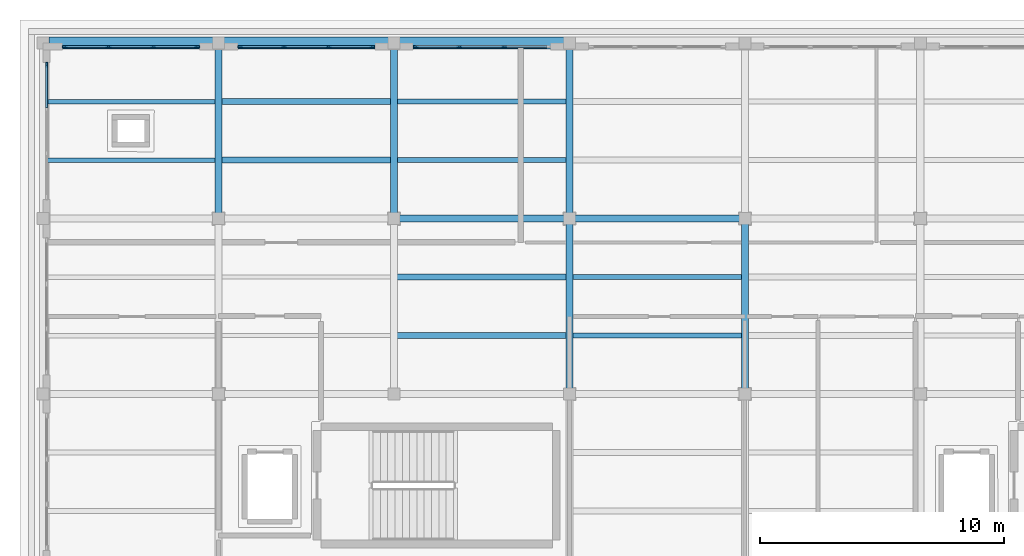
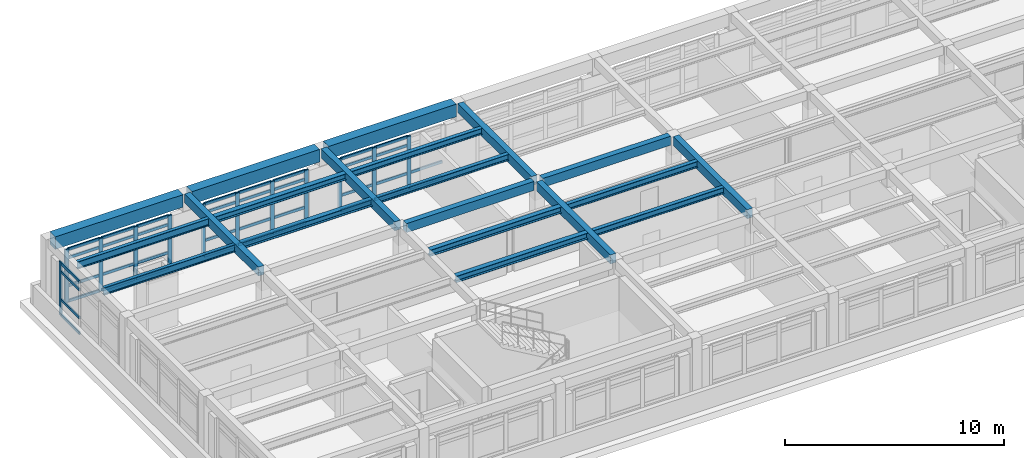
# One storey, part 4 of 18: 50 members, 20 beams, 4 elements without a shape of their own.
"""IFC4 building model written with IfcOpenShell, lengths in metres."""

from ifc_helpers import new_model, si_unit, direction, frame, origin, origin_2d, place, context, subcontext, project, spatial, rectangle, i_section, extrude, material, layer, layer_set, material_profile, profile_set, type_object, element, aggregate, save


model = new_model("IFC4")

# Units and contexts
model_context = context("Model", 3, precision=1e-05, world=origin(), true_north=direction((0.0, 1.0)))
body_context = subcontext(model_context, "Body", "Model", "MODEL_VIEW")
ifc_project = project(units=[si_unit("LENGTHUNIT", "METRE"), si_unit("AREAUNIT", "SQUARE_METRE"), si_unit("VOLUMEUNIT", "CUBIC_METRE"), si_unit("PLANEANGLEUNIT", "RADIAN"), si_unit("MASSUNIT", "GRAM", prefix="KILO")], contexts=[model_context])

# Site, building, storey
site_placement = place(None, origin())
site = spatial("IfcSite", under=ifc_project, at=site_placement, CompositionType="ELEMENT")
building_placement = place(site_placement, origin())
building = spatial("IfcBuilding", under=site, at=building_placement, Name="Solenvale Faculty of Natural Sciences", CompositionType="ELEMENT")
storey_placement = place(building_placement, frame((0.0, 0.0, 43.800048828125)))
storey = spatial("IfcBuildingStorey", under=building, at=storey_placement, Name="L10", CompositionType="ELEMENT", Elevation=43.800048828125)

# Beams
ifc_material_1 = material(Name="Concrete 40 MPa", Category="concrete")
ifc_material_profile_1 = material_profile(ifc_material_1, rectangle(XDim=0.300048828125, YDim=0.5, at=origin_2d()), Name="RC-BM-300x500")
ifc_profile_set_1 = profile_set([ifc_material_profile_1], Name="Concrete 40 MPa")
beam_type_1 = type_object("IfcBeamType", Name="BM-RC-300x500", PredefinedType="BEAM", material=ifc_profile_set_1)
for number, where, z_axis, x_axis, name in (
    (1, (108.22998046875, 108.0, 3.669921875), (1.0, 0.0, 0.0), (0.0, 1.0, 0.0), "L10 X-Girder Y108.0 (108.0..115.2)"),
    (2, (115.429931640625, 108.0, 3.669921875), (1.0, 0.0, 0.0), (0.0, 1.0, 0.0), "L10 X-Girder Y108.0 (115.2..122.4)"),
    (3, (100.800048828125, 108.22998046875, 3.669921875), (0.0, 1.0, 0.0), (-1.0, 0.0, 0.0), "L10 Y-Girder X100.8 (108.0..115.2)"),
    (4, (108.0, 108.22998046875, 3.669921875), (0.0, 1.0, 0.0), (-1.0, 0.0, 0.0), "L10 Y-Girder X108.0 (108.0..115.2)"),
    (5, (115.199951171875, 101.030029296875, 3.669921875), (0.0, 1.0, 0.0), (-1.0, 0.0, 0.0), "L10 Y-Girder X115.2 (100.8..108.0)"),
    (6, (115.199951171875, 108.22998046875, 3.669921875), (0.0, 1.0, 0.0), (-1.0, 0.0, 0.0), "L10 Y-Girder X115.2 (108.0..115.2)"),
    (7, (122.39990234375, 101.030029296875, 3.669921875), (0.0, 1.0, 0.0), (-1.0, 0.0, 0.0), "L10 Y-Girder X122.4 (100.8..108.0)"),
):
    element("IfcBeam", number, at=place(storey_placement, frame(where, z_axis=z_axis, x_axis=x_axis)), inside=storey, type_object=beam_type_1, Name=name, PredefinedType="BEAM", context=body_context, shape_type="SweptSolid", body=[
        extrude(rectangle(XDim=0.300048828125, YDim=0.5, at=origin_2d()), origin(), (0.0, 0.0, 1.0), 6.739990234375),
    ])
ifc_material_2 = material(Name="Precast concrete 40 MPa", Category="concrete")
ifc_material_profile_2 = material_profile(ifc_material_2, rectangle(XDim=0.5, YDim=0.699951171875, at=origin_2d()), Name="RC-BM-500x700")
ifc_profile_set_2 = profile_set([ifc_material_profile_2], Name="Precast concrete 40 MPa")
beam_type_2 = type_object("IfcBeamType", Name="BM-SPN-PRC-700", PredefinedType="SPANDREL", material=ifc_profile_set_2)
for number, where, z_axis, x_axis, name in (
    (8, (93.830078125, 115.199951171875, 3.570068359375), (1.0, 0.0, 0.0), (0.0, 1.0, 0.0), "L10 X-Girder Y115.2 (93.6..100.8)"),
    (9, (101.030029296875, 115.199951171875, 3.570068359375), (1.0, 0.0, 0.0), (0.0, 1.0, 0.0), "L10 X-Girder Y115.2 (100.8..108.0)"),
    (10, (108.22998046875, 115.199951171875, 3.570068359375), (1.0, 0.0, 0.0), (0.0, 1.0, 0.0), "L10 X-Girder Y115.2 (108.0..115.2)"),
):
    element("IfcBeam", number, at=place(storey_placement, frame(where, z_axis=z_axis, x_axis=x_axis)), inside=storey, type_object=beam_type_2, Name=name, PredefinedType="SPANDREL", context=body_context, shape_type="SweptSolid", body=[
        extrude(rectangle(XDim=0.5, YDim=0.699951171875, at=origin_2d()), origin(), (0.0, 0.0, 1.0), 6.739990234375),
    ])
ifc_material_3 = material(Name="Steel S355", Category="steel")
ifc_material_profile_3 = material_profile(ifc_material_3, i_section(OverallWidth=0.2548828125, OverallDepth=0.35693359375, WebThickness=0.010498046875, FlangeThickness=0.018310546875, FilletRadius=0.014892578125, at=origin_2d()), Name="W360x101")
ifc_profile_set_3 = profile_set([ifc_material_profile_3], Name="Steel S355")
beam_type_3 = type_object("IfcBeamType", Name="BM-STL-W360x101", PredefinedType="JOIST", material=ifc_profile_set_3)
for number, where, z_axis, x_axis, name in (
    (11, (100.929931640625, 110.39990234375, 3.741455078125), (1.0, 0.0, 0.0), (0.0, 1.0, 0.0), "L10 Composite Floor Joist (15,16).1"),
    (12, (100.929931640625, 112.800048828125, 3.741455078125), (1.0, 0.0, 0.0), (0.0, 1.0, 0.0), "L10 Composite Floor Joist (15,16).2"),
    (13, (108.1298828125, 103.199951171875, 3.741455078125), (1.0, 0.0, 0.0), (0.0, 1.0, 0.0), "L10 Composite Floor Joist (16,15).1"),
    (14, (108.1298828125, 105.60009765625, 3.741455078125), (1.0, 0.0, 0.0), (0.0, 1.0, 0.0), "L10 Composite Floor Joist (16,15).2"),
):
    element("IfcBeam", number, at=place(storey_placement, frame(where, z_axis=z_axis, x_axis=x_axis)), inside=storey, type_object=beam_type_3, Name=name, PredefinedType="JOIST", context=body_context, shape_type="SweptSolid", body=[
        extrude(i_section(OverallWidth=0.2548828125, OverallDepth=0.35693359375, WebThickness=0.010498046875, FlangeThickness=0.018310546875, FilletRadius=0.014892578125, at=origin_2d()), origin(), (0.0, 0.0, 1.0), 6.940185546875),
    ])
ifc_material_profile_4 = material_profile(ifc_material_3, i_section(OverallWidth=0.2041015625, OverallDepth=0.35009765625, WebThickness=0.008544921875, FlangeThickness=0.01513671875, FilletRadius=0.014892578125, at=origin_2d()), Name="W360x72")
ifc_profile_set_4 = profile_set([ifc_material_profile_4], Name="Steel S355")
beam_type_4 = type_object("IfcBeamType", Name="BM-STL-W360x72", PredefinedType="JOIST", material=ifc_profile_set_4)
for number, where, z_axis, x_axis, name in (
    (15, (108.1298828125, 110.39990234375, 3.744873046875), (1.0, 0.0, 0.0), (0.0, 1.0, 0.0), "L10 Composite Floor Joist (16,16).1"),
    (16, (108.1298828125, 112.800048828125, 3.744873046875), (1.0, 0.0, 0.0), (0.0, 1.0, 0.0), "L10 Composite Floor Joist (16,16).2"),
):
    element("IfcBeam", number, at=place(storey_placement, frame(where, z_axis=z_axis, x_axis=x_axis)), inside=storey, type_object=beam_type_4, Name=name, PredefinedType="JOIST", context=body_context, shape_type="SweptSolid", body=[
        extrude(i_section(OverallWidth=0.2041015625, OverallDepth=0.35009765625, WebThickness=0.008544921875, FlangeThickness=0.01513671875, FilletRadius=0.014892578125, at=origin_2d()), origin(), (0.0, 0.0, 1.0), 6.940185546875),
    ])
for number, where, z_axis, x_axis, name in (
    (17, (115.330078125, 103.199951171875, 3.744873046875), (1.0, 0.0, 0.0), (0.0, 1.0, 0.0), "L10 Composite Floor Joist (17,15).1"),
    (18, (115.330078125, 105.60009765625, 3.744873046875), (1.0, 0.0, 0.0), (0.0, 1.0, 0.0), "L10 Composite Floor Joist (17,15).2"),
):
    element("IfcBeam", number, at=place(storey_placement, frame(where, z_axis=z_axis, x_axis=x_axis)), inside=storey, type_object=beam_type_4, Name=name, PredefinedType="JOIST", context=body_context, shape_type="SweptSolid", body=[
        extrude(i_section(OverallWidth=0.2041015625, OverallDepth=0.35009765625, WebThickness=0.008544921875, FlangeThickness=0.01513671875, FilletRadius=0.014892578125, at=origin_2d()), origin(), (0.0, 0.0, 1.0), 6.93994140625),
    ])
ifc_material_profile_5 = material_profile(ifc_material_3, i_section(OverallWidth=0.178955078125, OverallDepth=0.409912109375, WebThickness=0.0087890625, FlangeThickness=0.014404296875, FilletRadius=0.01611328125, at=origin_2d()), Name="W410x67")
ifc_profile_set_5 = profile_set([ifc_material_profile_5], Name="Steel S355")
beam_type_5 = type_object("IfcBeamType", Name="BM-STL-W410x67", PredefinedType="JOIST", material=ifc_profile_set_5)
for number, where, z_axis, x_axis, name in (
    (19, (93.72998046875, 110.39990234375, 3.71484375), (1.0, 0.0, 0.0), (0.0, 1.0, 0.0), "L10 Composite Floor Joist (14,16).1"),
    (20, (93.72998046875, 112.800048828125, 3.71484375), (1.0, 0.0, 0.0), (0.0, 1.0, 0.0), "L10 Composite Floor Joist (14,16).2"),
):
    element("IfcBeam", number, at=place(storey_placement, frame(where, z_axis=z_axis, x_axis=x_axis)), inside=storey, type_object=beam_type_5, Name=name, PredefinedType="JOIST", context=body_context, shape_type="SweptSolid", body=[
        extrude(i_section(OverallWidth=0.178955078125, OverallDepth=0.409912109375, WebThickness=0.0087890625, FlangeThickness=0.014404296875, FilletRadius=0.01611328125, at=origin_2d()), origin(), (0.0, 0.0, 1.0), 6.93994140625),
    ])

# Curtain wall, members
ifc_material_4 = material(Name="Anodised bronze aluminium", Category="aluminium")
ifc_layer = layer(ifc_material_4, 0.179931640625)
ifc_layer_set = layer_set([ifc_layer], Name="Anodised bronze aluminium")
curtain_wall_type = type_object("IfcCurtainWallType", Name="CW-TWR-MOD", PredefinedType="USERDEFINED", material=ifc_layer_set)
curtain_wall_1_placement = place(storey_placement, origin())
curtain_wall_1 = element("IfcCurtainWall", 21, at=curtain_wall_1_placement, inside=storey, type_object=curtain_wall_type, Name="L10 Curtain Wall CW-L10-P1-E2-B6", ObjectType="UNITISED CURTAIN WALL", PredefinedType="USERDEFINED")
ifc_material_profile_6 = material_profile(ifc_material_4, rectangle(XDim=0.074951171875, YDim=0.2099609375, at=origin_2d()), Name="ALU-MUL-75x210")
ifc_profile_set_6 = profile_set([ifc_material_profile_6], Name="Anodised bronze aluminium")
member_type_1 = type_object("IfcMemberType", Name="CWM-ALU-75x210", PredefinedType="MULLION", material=ifc_profile_set_6)
member_1_placement = place(storey_placement, frame((112.5166015625, 115.0576171875, 0.0), z_axis=(0.0, 0.0, 1.0), x_axis=(0.0, -1.0, 0.0)))
member_1 = element("IfcMember", 22, at=member_1_placement, type_object=member_type_1, Name="CW-04 mullion 2", PredefinedType="MULLION", context=body_context, shape_type="SweptSolid", body=[
    extrude(rectangle(XDim=0.074951171875, YDim=0.2099609375, at=origin_2d()), origin(), (0.0, 0.0, 1.0), 2.9599609375),
])
member_2_placement = place(storey_placement, frame((110.683349609375, 115.0576171875, 0.0), z_axis=(0.0, 0.0, 1.0), x_axis=(0.0, -1.0, 0.0)))
member_2 = element("IfcMember", 23, at=member_2_placement, type_object=member_type_1, Name="CW-04 mullion 3", PredefinedType="MULLION", context=body_context, shape_type="SweptSolid", body=[
    extrude(rectangle(XDim=0.074951171875, YDim=0.2099609375, at=origin_2d()), origin(), (0.0, 0.0, 1.0), 2.9599609375),
])
member_3_placement = place(storey_placement, frame((108.887451171875, 115.0576171875, 0.0), z_axis=(0.0, 0.0, 1.0), x_axis=(0.0, -1.0, 0.0)))
member_3 = element("IfcMember", 24, at=member_3_placement, type_object=member_type_1, Name="CW-04 mullion 4", PredefinedType="MULLION", context=body_context, shape_type="SweptSolid", body=[
    extrude(rectangle(XDim=0.074951171875, YDim=0.2099609375, at=origin_2d()), origin(), (0.0, 0.0, 1.0), 2.9599609375),
])

curtain_wall_2_placement = place(storey_placement, origin())
curtain_wall_2 = element("IfcCurtainWall", 25, at=curtain_wall_2_placement, inside=storey, type_object=curtain_wall_type, Name="L10 Curtain Wall CW-L10-P1-E2-B7", ObjectType="UNITISED CURTAIN WALL", PredefinedType="USERDEFINED")
member_4_placement = place(storey_placement, frame((107.112548828125, 115.0576171875, 0.0), z_axis=(0.0, 0.0, 1.0), x_axis=(0.0, -1.0, 0.0)))
member_4 = element("IfcMember", 26, at=member_4_placement, type_object=member_type_1, Name="CW-04 mullion 1", PredefinedType="MULLION", context=body_context, shape_type="SweptSolid", body=[
    extrude(rectangle(XDim=0.074951171875, YDim=0.2099609375, at=origin_2d()), origin(), (0.0, 0.0, 1.0), 2.9599609375),
])
member_5_placement = place(storey_placement, frame((105.316650390625, 115.0576171875, 0.0), z_axis=(0.0, 0.0, 1.0), x_axis=(0.0, -1.0, 0.0)))
member_5 = element("IfcMember", 27, at=member_5_placement, type_object=member_type_1, Name="CW-04 mullion 2", PredefinedType="MULLION", context=body_context, shape_type="SweptSolid", body=[
    extrude(rectangle(XDim=0.074951171875, YDim=0.2099609375, at=origin_2d()), origin(), (0.0, 0.0, 1.0), 2.9599609375),
])
member_6_placement = place(storey_placement, frame((103.4833984375, 115.0576171875, 0.0), z_axis=(0.0, 0.0, 1.0), x_axis=(0.0, -1.0, 0.0)))
member_6 = element("IfcMember", 28, at=member_6_placement, type_object=member_type_1, Name="CW-04 mullion 3", PredefinedType="MULLION", context=body_context, shape_type="SweptSolid", body=[
    extrude(rectangle(XDim=0.074951171875, YDim=0.2099609375, at=origin_2d()), origin(), (0.0, 0.0, 1.0), 2.9599609375),
])
member_7_placement = place(storey_placement, frame((101.6875, 115.0576171875, 0.0), z_axis=(0.0, 0.0, 1.0), x_axis=(0.0, -1.0, 0.0)))
member_7 = element("IfcMember", 29, at=member_7_placement, type_object=member_type_1, Name="CW-04 mullion 4", PredefinedType="MULLION", context=body_context, shape_type="SweptSolid", body=[
    extrude(rectangle(XDim=0.074951171875, YDim=0.2099609375, at=origin_2d()), origin(), (0.0, 0.0, 1.0), 2.9599609375),
])

curtain_wall_3_placement = place(storey_placement, origin())
curtain_wall_3 = element("IfcCurtainWall", 30, at=curtain_wall_3_placement, inside=storey, type_object=curtain_wall_type, Name="L10 Curtain Wall CW-L10-P1-E2-B8", ObjectType="UNITISED CURTAIN WALL", PredefinedType="USERDEFINED")
member_8_placement = place(storey_placement, frame((99.91259765625, 115.0576171875, 0.0), z_axis=(0.0, 0.0, 1.0), x_axis=(0.0, -1.0, 0.0)))
member_8 = element("IfcMember", 31, at=member_8_placement, type_object=member_type_1, Name="CW-04 mullion 1", PredefinedType="MULLION", context=body_context, shape_type="SweptSolid", body=[
    extrude(rectangle(XDim=0.074951171875, YDim=0.2099609375, at=origin_2d()), origin(), (0.0, 0.0, 1.0), 2.9599609375),
])
member_9_placement = place(storey_placement, frame((98.11669921875, 115.0576171875, 0.0), z_axis=(0.0, 0.0, 1.0), x_axis=(0.0, -1.0, 0.0)))
member_9 = element("IfcMember", 32, at=member_9_placement, type_object=member_type_1, Name="CW-04 mullion 2", PredefinedType="MULLION", context=body_context, shape_type="SweptSolid", body=[
    extrude(rectangle(XDim=0.074951171875, YDim=0.2099609375, at=origin_2d()), origin(), (0.0, 0.0, 1.0), 2.9599609375),
])
member_10_placement = place(storey_placement, frame((96.283447265625, 115.0576171875, 0.0), z_axis=(0.0, 0.0, 1.0), x_axis=(0.0, -1.0, 0.0)))
member_10 = element("IfcMember", 33, at=member_10_placement, type_object=member_type_1, Name="CW-04 mullion 3", PredefinedType="MULLION", context=body_context, shape_type="SweptSolid", body=[
    extrude(rectangle(XDim=0.074951171875, YDim=0.2099609375, at=origin_2d()), origin(), (0.0, 0.0, 1.0), 2.9599609375),
])
member_11_placement = place(storey_placement, frame((94.487548828125, 115.0576171875, 0.0), z_axis=(0.0, 0.0, 1.0), x_axis=(0.0, -1.0, 0.0)))
member_11 = element("IfcMember", 34, at=member_11_placement, type_object=member_type_1, Name="CW-04 mullion 4", PredefinedType="MULLION", context=body_context, shape_type="SweptSolid", body=[
    extrude(rectangle(XDim=0.074951171875, YDim=0.2099609375, at=origin_2d()), origin(), (0.0, 0.0, 1.0), 2.9599609375),
])

# Curtain wall, member
curtain_wall_4_placement = place(storey_placement, origin())
curtain_wall_4 = element("IfcCurtainWall", 35, at=curtain_wall_4_placement, inside=storey, type_object=curtain_wall_type, Name="L10 Curtain Wall CW-L10-P1-E3-B1", ObjectType="UNITISED CURTAIN WALL", PredefinedType="USERDEFINED")
member_12_placement = place(storey_placement, frame((93.742431640625, 114.3125, 0.0), z_axis=(0.0, 0.0, 1.0), x_axis=(1.0, 0.0, 0.0)))
member_12 = element("IfcMember", 36, at=member_12_placement, type_object=member_type_1, Name="CW-04 mullion 1", PredefinedType="MULLION", context=body_context, shape_type="SweptSolid", body=[
    extrude(rectangle(XDim=0.074951171875, YDim=0.2099609375, at=origin_2d()), origin(), (0.0, 0.0, 1.0), 2.9599609375),
])

# Member
ifc_material_profile_7 = material_profile(ifc_material_4, rectangle(XDim=0.074951171875, YDim=0.155029296875, at=origin_2d()), Name="ALU-TRN-75x155")
ifc_profile_set_7 = profile_set([ifc_material_profile_7], Name="Anodised bronze aluminium")
member_type_2 = type_object("IfcMemberType", Name="CWT-ALU-75x155", PredefinedType="USERDEFINED", material=ifc_profile_set_7)
member_13_placement = place(storey_placement, frame((114.27490234375, 115.0576171875, 0.037353515625), z_axis=(-1.0, 0.0, 0.0), x_axis=(0.0, -1.0, 0.0)))
member_13 = element("IfcMember", 37, at=member_13_placement, type_object=member_type_2, Name="CW-04 transom 1.1", ObjectType="TRANSOM", PredefinedType="USERDEFINED", context=body_context, shape_type="SweptSolid", body=[
    extrude(rectangle(XDim=0.074951171875, YDim=0.155029296875, at=origin_2d()), origin(), (0.0, 0.0, 1.0), 1.720703125),
])

member_14_placement = place(storey_placement, frame((114.27490234375, 115.0576171875, 0.89990234375), z_axis=(-1.0, 0.0, 0.0), x_axis=(0.0, -1.0, 0.0)))
member_14 = element("IfcMember", 38, at=member_14_placement, type_object=member_type_2, Name="CW-04 transom 1.2", ObjectType="TRANSOM", PredefinedType="USERDEFINED", context=body_context, shape_type="SweptSolid", body=[
    extrude(rectangle(XDim=0.074951171875, YDim=0.155029296875, at=origin_2d()), origin(), (0.0, 0.0, 1.0), 1.720703125),
])

member_15_placement = place(storey_placement, frame((112.479248046875, 115.0576171875, 0.037353515625), z_axis=(-1.0, 0.0, 0.0), x_axis=(0.0, -1.0, 0.0)))
member_15 = element("IfcMember", 39, at=member_15_placement, type_object=member_type_2, Name="CW-04 transom 2.1", ObjectType="TRANSOM", PredefinedType="USERDEFINED", context=body_context, shape_type="SweptSolid", body=[
    extrude(rectangle(XDim=0.074951171875, YDim=0.155029296875, at=origin_2d()), origin(), (0.0, 0.0, 1.0), 1.75830078125),
])

member_16_placement = place(storey_placement, frame((112.479248046875, 115.0576171875, 0.89990234375), z_axis=(-1.0, 0.0, 0.0), x_axis=(0.0, -1.0, 0.0)))
member_16 = element("IfcMember", 40, at=member_16_placement, type_object=member_type_2, Name="CW-04 transom 2.2", ObjectType="TRANSOM", PredefinedType="USERDEFINED", context=body_context, shape_type="SweptSolid", body=[
    extrude(rectangle(XDim=0.074951171875, YDim=0.155029296875, at=origin_2d()), origin(), (0.0, 0.0, 1.0), 1.75830078125),
])

member_17_placement = place(storey_placement, frame((112.479248046875, 115.0576171875, 2.4599609375), z_axis=(-1.0, 0.0, 0.0), x_axis=(0.0, -1.0, 0.0)))
member_17 = element("IfcMember", 41, at=member_17_placement, type_object=member_type_2, Name="CW-04 transom 2.3", ObjectType="TRANSOM", PredefinedType="USERDEFINED", context=body_context, shape_type="SweptSolid", body=[
    extrude(rectangle(XDim=0.074951171875, YDim=0.155029296875, at=origin_2d()), origin(), (0.0, 0.0, 1.0), 1.75830078125),
])

member_18_placement = place(storey_placement, frame((112.479248046875, 115.0576171875, 2.92236328125), z_axis=(-1.0, 0.0, 0.0), x_axis=(0.0, -1.0, 0.0)))
member_18 = element("IfcMember", 42, at=member_18_placement, type_object=member_type_2, Name="CW-04 transom 2.4", ObjectType="TRANSOM", PredefinedType="USERDEFINED", context=body_context, shape_type="SweptSolid", body=[
    extrude(rectangle(XDim=0.074951171875, YDim=0.155029296875, at=origin_2d()), origin(), (0.0, 0.0, 1.0), 1.75830078125),
])

member_19_placement = place(storey_placement, frame((110.645751953125, 115.0576171875, 0.037353515625), z_axis=(-1.0, 0.0, 0.0), x_axis=(0.0, -1.0, 0.0)))
member_19 = element("IfcMember", 43, at=member_19_placement, type_object=member_type_2, Name="CW-04 transom 3.1", ObjectType="TRANSOM", PredefinedType="USERDEFINED", context=body_context, shape_type="SweptSolid", body=[
    extrude(rectangle(XDim=0.074951171875, YDim=0.155029296875, at=origin_2d()), origin(), (0.0, 0.0, 1.0), 1.720703125),
])

member_20_placement = place(storey_placement, frame((110.645751953125, 115.0576171875, 0.89990234375), z_axis=(-1.0, 0.0, 0.0), x_axis=(0.0, -1.0, 0.0)))
member_20 = element("IfcMember", 44, at=member_20_placement, type_object=member_type_2, Name="CW-04 transom 3.2", ObjectType="TRANSOM", PredefinedType="USERDEFINED", context=body_context, shape_type="SweptSolid", body=[
    extrude(rectangle(XDim=0.074951171875, YDim=0.155029296875, at=origin_2d()), origin(), (0.0, 0.0, 1.0), 1.720703125),
])

member_21_placement = place(storey_placement, frame((110.645751953125, 115.0576171875, 2.4599609375), z_axis=(-1.0, 0.0, 0.0), x_axis=(0.0, -1.0, 0.0)))
member_21 = element("IfcMember", 45, at=member_21_placement, type_object=member_type_2, Name="CW-04 transom 3.3", ObjectType="TRANSOM", PredefinedType="USERDEFINED", context=body_context, shape_type="SweptSolid", body=[
    extrude(rectangle(XDim=0.074951171875, YDim=0.155029296875, at=origin_2d()), origin(), (0.0, 0.0, 1.0), 1.720703125),
])

member_22_placement = place(storey_placement, frame((110.645751953125, 115.0576171875, 2.92236328125), z_axis=(-1.0, 0.0, 0.0), x_axis=(0.0, -1.0, 0.0)))
member_22 = element("IfcMember", 46, at=member_22_placement, type_object=member_type_2, Name="CW-04 transom 3.4", ObjectType="TRANSOM", PredefinedType="USERDEFINED", context=body_context, shape_type="SweptSolid", body=[
    extrude(rectangle(XDim=0.074951171875, YDim=0.155029296875, at=origin_2d()), origin(), (0.0, 0.0, 1.0), 1.720703125),
])

aggregate(curtain_wall_1, [member_1, member_2, member_3, member_13, member_14, member_15, member_16, member_17, member_18, member_19, member_20, member_21, member_22])

member_23_placement = place(storey_placement, frame((107.074951171875, 115.0576171875, 0.037353515625), z_axis=(-1.0, 0.0, 0.0), x_axis=(0.0, -1.0, 0.0)))
member_23 = element("IfcMember", 47, at=member_23_placement, type_object=member_type_2, Name="CW-04 transom 1.1", ObjectType="TRANSOM", PredefinedType="USERDEFINED", context=body_context, shape_type="SweptSolid", body=[
    extrude(rectangle(XDim=0.074951171875, YDim=0.155029296875, at=origin_2d()), origin(), (0.0, 0.0, 1.0), 1.720703125),
])

member_24_placement = place(storey_placement, frame((107.074951171875, 115.0576171875, 0.89990234375), z_axis=(-1.0, 0.0, 0.0), x_axis=(0.0, -1.0, 0.0)))
member_24 = element("IfcMember", 48, at=member_24_placement, type_object=member_type_2, Name="CW-04 transom 1.2", ObjectType="TRANSOM", PredefinedType="USERDEFINED", context=body_context, shape_type="SweptSolid", body=[
    extrude(rectangle(XDim=0.074951171875, YDim=0.155029296875, at=origin_2d()), origin(), (0.0, 0.0, 1.0), 1.720703125),
])

member_25_placement = place(storey_placement, frame((107.074951171875, 115.0576171875, 2.4599609375), z_axis=(-1.0, 0.0, 0.0), x_axis=(0.0, -1.0, 0.0)))
member_25 = element("IfcMember", 49, at=member_25_placement, type_object=member_type_2, Name="CW-04 transom 1.3", ObjectType="TRANSOM", PredefinedType="USERDEFINED", context=body_context, shape_type="SweptSolid", body=[
    extrude(rectangle(XDim=0.074951171875, YDim=0.155029296875, at=origin_2d()), origin(), (0.0, 0.0, 1.0), 1.720703125),
])

member_26_placement = place(storey_placement, frame((107.074951171875, 115.0576171875, 2.92236328125), z_axis=(-1.0, 0.0, 0.0), x_axis=(0.0, -1.0, 0.0)))
member_26 = element("IfcMember", 50, at=member_26_placement, type_object=member_type_2, Name="CW-04 transom 1.4", ObjectType="TRANSOM", PredefinedType="USERDEFINED", context=body_context, shape_type="SweptSolid", body=[
    extrude(rectangle(XDim=0.074951171875, YDim=0.155029296875, at=origin_2d()), origin(), (0.0, 0.0, 1.0), 1.720703125),
])

member_27_placement = place(storey_placement, frame((105.279052734375, 115.0576171875, 0.037353515625), z_axis=(-1.0, 0.0, 0.0), x_axis=(0.0, -1.0, 0.0)))
member_27 = element("IfcMember", 51, at=member_27_placement, type_object=member_type_2, Name="CW-04 transom 2.1", ObjectType="TRANSOM", PredefinedType="USERDEFINED", context=body_context, shape_type="SweptSolid", body=[
    extrude(rectangle(XDim=0.074951171875, YDim=0.155029296875, at=origin_2d()), origin(), (0.0, 0.0, 1.0), 1.75830078125),
])

member_28_placement = place(storey_placement, frame((105.279052734375, 115.0576171875, 0.89990234375), z_axis=(-1.0, 0.0, 0.0), x_axis=(0.0, -1.0, 0.0)))
member_28 = element("IfcMember", 52, at=member_28_placement, type_object=member_type_2, Name="CW-04 transom 2.2", ObjectType="TRANSOM", PredefinedType="USERDEFINED", context=body_context, shape_type="SweptSolid", body=[
    extrude(rectangle(XDim=0.074951171875, YDim=0.155029296875, at=origin_2d()), origin(), (0.0, 0.0, 1.0), 1.75830078125),
])

member_29_placement = place(storey_placement, frame((105.279052734375, 115.0576171875, 2.4599609375), z_axis=(-1.0, 0.0, 0.0), x_axis=(0.0, -1.0, 0.0)))
member_29 = element("IfcMember", 53, at=member_29_placement, type_object=member_type_2, Name="CW-04 transom 2.3", ObjectType="TRANSOM", PredefinedType="USERDEFINED", context=body_context, shape_type="SweptSolid", body=[
    extrude(rectangle(XDim=0.074951171875, YDim=0.155029296875, at=origin_2d()), origin(), (0.0, 0.0, 1.0), 1.75830078125),
])

member_30_placement = place(storey_placement, frame((105.279052734375, 115.0576171875, 2.92236328125), z_axis=(-1.0, 0.0, 0.0), x_axis=(0.0, -1.0, 0.0)))
member_30 = element("IfcMember", 54, at=member_30_placement, type_object=member_type_2, Name="CW-04 transom 2.4", ObjectType="TRANSOM", PredefinedType="USERDEFINED", context=body_context, shape_type="SweptSolid", body=[
    extrude(rectangle(XDim=0.074951171875, YDim=0.155029296875, at=origin_2d()), origin(), (0.0, 0.0, 1.0), 1.75830078125),
])

member_31_placement = place(storey_placement, frame((103.44580078125, 115.0576171875, 0.037353515625), z_axis=(-1.0, 0.0, 0.0), x_axis=(0.0, -1.0, 0.0)))
member_31 = element("IfcMember", 55, at=member_31_placement, type_object=member_type_2, Name="CW-04 transom 3.1", ObjectType="TRANSOM", PredefinedType="USERDEFINED", context=body_context, shape_type="SweptSolid", body=[
    extrude(rectangle(XDim=0.074951171875, YDim=0.155029296875, at=origin_2d()), origin(), (0.0, 0.0, 1.0), 1.720703125),
])

member_32_placement = place(storey_placement, frame((103.44580078125, 115.0576171875, 0.89990234375), z_axis=(-1.0, 0.0, 0.0), x_axis=(0.0, -1.0, 0.0)))
member_32 = element("IfcMember", 56, at=member_32_placement, type_object=member_type_2, Name="CW-04 transom 3.2", ObjectType="TRANSOM", PredefinedType="USERDEFINED", context=body_context, shape_type="SweptSolid", body=[
    extrude(rectangle(XDim=0.074951171875, YDim=0.155029296875, at=origin_2d()), origin(), (0.0, 0.0, 1.0), 1.720703125),
])

member_33_placement = place(storey_placement, frame((103.44580078125, 115.0576171875, 2.4599609375), z_axis=(-1.0, 0.0, 0.0), x_axis=(0.0, -1.0, 0.0)))
member_33 = element("IfcMember", 57, at=member_33_placement, type_object=member_type_2, Name="CW-04 transom 3.3", ObjectType="TRANSOM", PredefinedType="USERDEFINED", context=body_context, shape_type="SweptSolid", body=[
    extrude(rectangle(XDim=0.074951171875, YDim=0.155029296875, at=origin_2d()), origin(), (0.0, 0.0, 1.0), 1.720703125),
])

member_34_placement = place(storey_placement, frame((103.44580078125, 115.0576171875, 2.92236328125), z_axis=(-1.0, 0.0, 0.0), x_axis=(0.0, -1.0, 0.0)))
member_34 = element("IfcMember", 58, at=member_34_placement, type_object=member_type_2, Name="CW-04 transom 3.4", ObjectType="TRANSOM", PredefinedType="USERDEFINED", context=body_context, shape_type="SweptSolid", body=[
    extrude(rectangle(XDim=0.074951171875, YDim=0.155029296875, at=origin_2d()), origin(), (0.0, 0.0, 1.0), 1.720703125),
])

aggregate(curtain_wall_2, [member_4, member_5, member_6, member_7, member_23, member_24, member_25, member_26, member_27, member_28, member_29, member_30, member_31, member_32, member_33, member_34])

member_35_placement = place(storey_placement, frame((99.875, 115.0576171875, 0.037353515625), z_axis=(-1.0, 0.0, 0.0), x_axis=(0.0, -1.0, 0.0)))
member_35 = element("IfcMember", 59, at=member_35_placement, type_object=member_type_2, Name="CW-04 transom 1.1", ObjectType="TRANSOM", PredefinedType="USERDEFINED", context=body_context, shape_type="SweptSolid", body=[
    extrude(rectangle(XDim=0.074951171875, YDim=0.155029296875, at=origin_2d()), origin(), (0.0, 0.0, 1.0), 1.720947265625),
])

member_36_placement = place(storey_placement, frame((99.875, 115.0576171875, 0.89990234375), z_axis=(-1.0, 0.0, 0.0), x_axis=(0.0, -1.0, 0.0)))
member_36 = element("IfcMember", 60, at=member_36_placement, type_object=member_type_2, Name="CW-04 transom 1.2", ObjectType="TRANSOM", PredefinedType="USERDEFINED", context=body_context, shape_type="SweptSolid", body=[
    extrude(rectangle(XDim=0.074951171875, YDim=0.155029296875, at=origin_2d()), origin(), (0.0, 0.0, 1.0), 1.720947265625),
])

member_37_placement = place(storey_placement, frame((99.875, 115.0576171875, 2.4599609375), z_axis=(-1.0, 0.0, 0.0), x_axis=(0.0, -1.0, 0.0)))
member_37 = element("IfcMember", 61, at=member_37_placement, type_object=member_type_2, Name="CW-04 transom 1.3", ObjectType="TRANSOM", PredefinedType="USERDEFINED", context=body_context, shape_type="SweptSolid", body=[
    extrude(rectangle(XDim=0.074951171875, YDim=0.155029296875, at=origin_2d()), origin(), (0.0, 0.0, 1.0), 1.720947265625),
])

member_38_placement = place(storey_placement, frame((99.875, 115.0576171875, 2.92236328125), z_axis=(-1.0, 0.0, 0.0), x_axis=(0.0, -1.0, 0.0)))
member_38 = element("IfcMember", 62, at=member_38_placement, type_object=member_type_2, Name="CW-04 transom 1.4", ObjectType="TRANSOM", PredefinedType="USERDEFINED", context=body_context, shape_type="SweptSolid", body=[
    extrude(rectangle(XDim=0.074951171875, YDim=0.155029296875, at=origin_2d()), origin(), (0.0, 0.0, 1.0), 1.720947265625),
])

member_39_placement = place(storey_placement, frame((98.0791015625, 115.0576171875, 0.037353515625), z_axis=(-1.0, 0.0, 0.0), x_axis=(0.0, -1.0, 0.0)))
member_39 = element("IfcMember", 63, at=member_39_placement, type_object=member_type_2, Name="CW-04 transom 2.1", ObjectType="TRANSOM", PredefinedType="USERDEFINED", context=body_context, shape_type="SweptSolid", body=[
    extrude(rectangle(XDim=0.074951171875, YDim=0.155029296875, at=origin_2d()), origin(), (0.0, 0.0, 1.0), 1.75830078125),
])

member_40_placement = place(storey_placement, frame((98.0791015625, 115.0576171875, 0.89990234375), z_axis=(-1.0, 0.0, 0.0), x_axis=(0.0, -1.0, 0.0)))
member_40 = element("IfcMember", 64, at=member_40_placement, type_object=member_type_2, Name="CW-04 transom 2.2", ObjectType="TRANSOM", PredefinedType="USERDEFINED", context=body_context, shape_type="SweptSolid", body=[
    extrude(rectangle(XDim=0.074951171875, YDim=0.155029296875, at=origin_2d()), origin(), (0.0, 0.0, 1.0), 1.75830078125),
])

member_41_placement = place(storey_placement, frame((98.0791015625, 115.0576171875, 2.4599609375), z_axis=(-1.0, 0.0, 0.0), x_axis=(0.0, -1.0, 0.0)))
member_41 = element("IfcMember", 65, at=member_41_placement, type_object=member_type_2, Name="CW-04 transom 2.3", ObjectType="TRANSOM", PredefinedType="USERDEFINED", context=body_context, shape_type="SweptSolid", body=[
    extrude(rectangle(XDim=0.074951171875, YDim=0.155029296875, at=origin_2d()), origin(), (0.0, 0.0, 1.0), 1.75830078125),
])

member_42_placement = place(storey_placement, frame((98.0791015625, 115.0576171875, 2.92236328125), z_axis=(-1.0, 0.0, 0.0), x_axis=(0.0, -1.0, 0.0)))
member_42 = element("IfcMember", 66, at=member_42_placement, type_object=member_type_2, Name="CW-04 transom 2.4", ObjectType="TRANSOM", PredefinedType="USERDEFINED", context=body_context, shape_type="SweptSolid", body=[
    extrude(rectangle(XDim=0.074951171875, YDim=0.155029296875, at=origin_2d()), origin(), (0.0, 0.0, 1.0), 1.75830078125),
])

member_43_placement = place(storey_placement, frame((96.245849609375, 115.0576171875, 0.037353515625), z_axis=(-1.0, 0.0, 0.0), x_axis=(0.0, -1.0, 0.0)))
member_43 = element("IfcMember", 67, at=member_43_placement, type_object=member_type_2, Name="CW-04 transom 3.1", ObjectType="TRANSOM", PredefinedType="USERDEFINED", context=body_context, shape_type="SweptSolid", body=[
    extrude(rectangle(XDim=0.074951171875, YDim=0.155029296875, at=origin_2d()), origin(), (0.0, 0.0, 1.0), 1.720947265625),
])

member_44_placement = place(storey_placement, frame((96.245849609375, 115.0576171875, 0.89990234375), z_axis=(-1.0, 0.0, 0.0), x_axis=(0.0, -1.0, 0.0)))
member_44 = element("IfcMember", 68, at=member_44_placement, type_object=member_type_2, Name="CW-04 transom 3.2", ObjectType="TRANSOM", PredefinedType="USERDEFINED", context=body_context, shape_type="SweptSolid", body=[
    extrude(rectangle(XDim=0.074951171875, YDim=0.155029296875, at=origin_2d()), origin(), (0.0, 0.0, 1.0), 1.720947265625),
])

member_45_placement = place(storey_placement, frame((96.245849609375, 115.0576171875, 2.4599609375), z_axis=(-1.0, 0.0, 0.0), x_axis=(0.0, -1.0, 0.0)))
member_45 = element("IfcMember", 69, at=member_45_placement, type_object=member_type_2, Name="CW-04 transom 3.3", ObjectType="TRANSOM", PredefinedType="USERDEFINED", context=body_context, shape_type="SweptSolid", body=[
    extrude(rectangle(XDim=0.074951171875, YDim=0.155029296875, at=origin_2d()), origin(), (0.0, 0.0, 1.0), 1.720947265625),
])

member_46_placement = place(storey_placement, frame((96.245849609375, 115.0576171875, 2.92236328125), z_axis=(-1.0, 0.0, 0.0), x_axis=(0.0, -1.0, 0.0)))
member_46 = element("IfcMember", 70, at=member_46_placement, type_object=member_type_2, Name="CW-04 transom 3.4", ObjectType="TRANSOM", PredefinedType="USERDEFINED", context=body_context, shape_type="SweptSolid", body=[
    extrude(rectangle(XDim=0.074951171875, YDim=0.155029296875, at=origin_2d()), origin(), (0.0, 0.0, 1.0), 1.720947265625),
])

aggregate(curtain_wall_3, [member_8, member_9, member_10, member_11, member_35, member_36, member_37, member_38, member_39, member_40, member_41, member_42, member_43, member_44, member_45, member_46])

member_47_placement = place(storey_placement, frame((93.742431640625, 114.27490234375, 0.037353515625), z_axis=(0.0, -1.0, 0.0), x_axis=(1.0, 0.0, 0.0)))
member_47 = element("IfcMember", 71, at=member_47_placement, type_object=member_type_2, Name="CW-04 transom 1.1", ObjectType="TRANSOM", PredefinedType="USERDEFINED", context=body_context, shape_type="SweptSolid", body=[
    extrude(rectangle(XDim=0.074951171875, YDim=0.155029296875, at=origin_2d()), origin(), (0.0, 0.0, 1.0), 1.720703125),
])

member_48_placement = place(storey_placement, frame((93.742431640625, 114.27490234375, 0.89990234375), z_axis=(0.0, -1.0, 0.0), x_axis=(1.0, 0.0, 0.0)))
member_48 = element("IfcMember", 72, at=member_48_placement, type_object=member_type_2, Name="CW-04 transom 1.2", ObjectType="TRANSOM", PredefinedType="USERDEFINED", context=body_context, shape_type="SweptSolid", body=[
    extrude(rectangle(XDim=0.074951171875, YDim=0.155029296875, at=origin_2d()), origin(), (0.0, 0.0, 1.0), 1.720703125),
])

member_49_placement = place(storey_placement, frame((93.742431640625, 114.27490234375, 2.4599609375), z_axis=(0.0, -1.0, 0.0), x_axis=(1.0, 0.0, 0.0)))
member_49 = element("IfcMember", 73, at=member_49_placement, type_object=member_type_2, Name="CW-04 transom 1.3", ObjectType="TRANSOM", PredefinedType="USERDEFINED", context=body_context, shape_type="SweptSolid", body=[
    extrude(rectangle(XDim=0.074951171875, YDim=0.155029296875, at=origin_2d()), origin(), (0.0, 0.0, 1.0), 1.720703125),
])

member_50_placement = place(storey_placement, frame((93.742431640625, 114.27490234375, 2.92236328125), z_axis=(0.0, -1.0, 0.0), x_axis=(1.0, 0.0, 0.0)))
member_50 = element("IfcMember", 74, at=member_50_placement, type_object=member_type_2, Name="CW-04 transom 1.4", ObjectType="TRANSOM", PredefinedType="USERDEFINED", context=body_context, shape_type="SweptSolid", body=[
    extrude(rectangle(XDim=0.074951171875, YDim=0.155029296875, at=origin_2d()), origin(), (0.0, 0.0, 1.0), 1.720703125),
])

aggregate(curtain_wall_4, [member_12, member_47, member_48, member_49, member_50])

save(model, "model.ifc")
